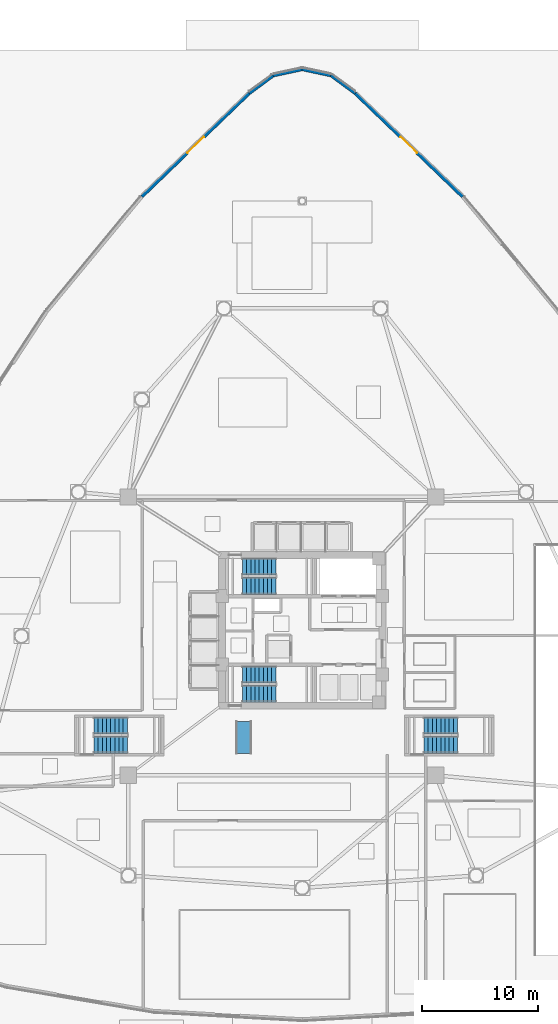
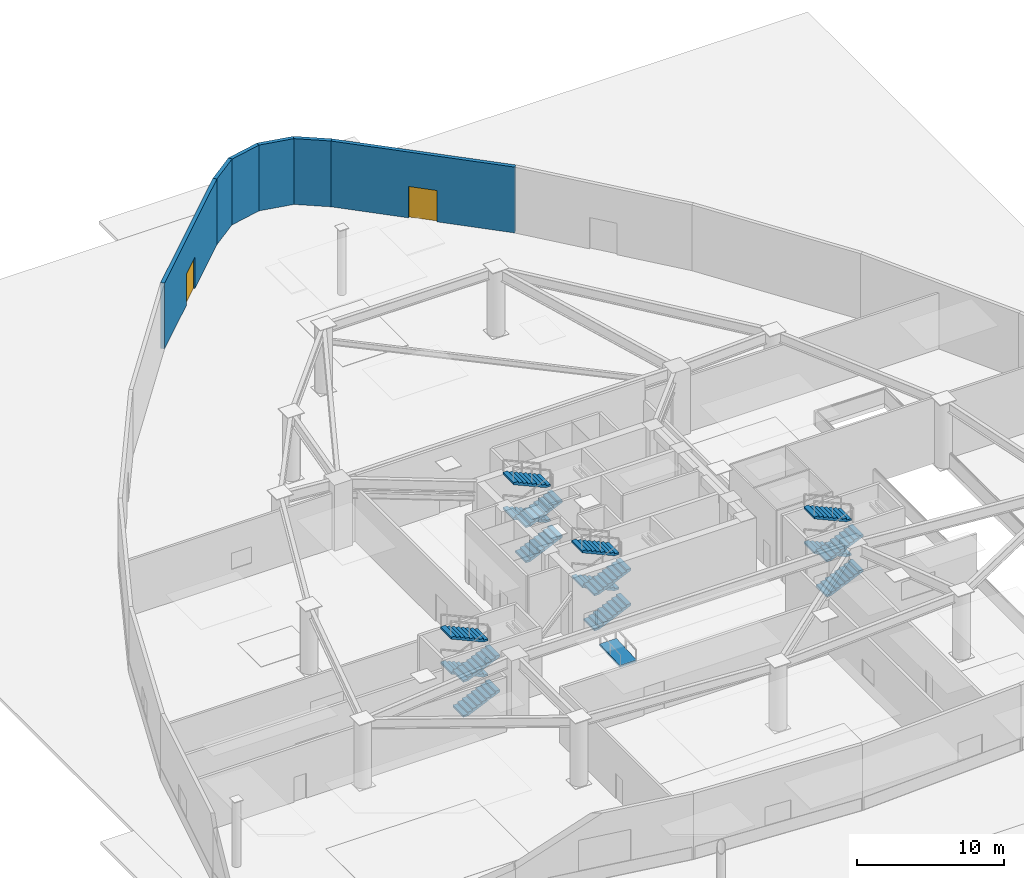
# One storey, part 8 of 13: 16 stair flights, 6 walls, 2 doors, 1 ramp flight, 2 openings, 5 elements without a shape of their own.
"""IFC4 building model written with IfcOpenShell, lengths in metres."""

from ifc_helpers import new_model, si_unit, direction, frame, frame_2d, origin, place, context, subcontext, project, spatial, polyline, rectangle, outline, extrude, material, layer, layer_set, type_object, element, fill, aggregate, save


model = new_model("IFC4")

# Units and contexts
model_context = context("Model", 3, precision=1e-05, world=origin(), true_north=direction((0.0, 1.0)))
body_context = subcontext(model_context, "Body", "Model", "MODEL_VIEW")
ifc_project = project(units=[si_unit("LENGTHUNIT", "METRE"), si_unit("AREAUNIT", "SQUARE_METRE"), si_unit("VOLUMEUNIT", "CUBIC_METRE"), si_unit("PLANEANGLEUNIT", "RADIAN"), si_unit("MASSUNIT", "GRAM", prefix="KILO")], contexts=[model_context])

# Site, building, storey
site_placement = place(None, origin())
site = spatial("IfcSite", under=ifc_project, at=site_placement, CompositionType="ELEMENT")
building_placement = place(site_placement, origin())
building = spatial("IfcBuilding", under=site, at=building_placement, Name="Tavelor Broadcast Tower", CompositionType="ELEMENT")
storey_placement = place(building_placement, origin())
storey = spatial("IfcBuildingStorey", under=building, at=storey_placement, Name="L00", CompositionType="ELEMENT", Elevation=0.0)

# Walls
ifc_material_1 = material(Name="Precast Concrete C40/50", Category="concrete")
ifc_layer_1 = layer(ifc_material_1, 0.280029296875)
ifc_layer_set_1 = layer_set([ifc_layer_1], Name="Precast Concrete C40/50")
wall_type = type_object("IfcWallType", Name="Insulated Precast Terracotta Facade Wall 280 mm", PredefinedType="STANDARD", material=ifc_layer_set_1)
wall_1_placement = place(storey_placement, frame((54.572265625, 91.283935546875, 0.0), z_axis=(0.0, 0.0, 1.0), x_axis=(-0.804349747679, 0.594156110301, 0.0)))
element("IfcWall", 1, at=wall_1_placement, inside=storey, type_object=wall_type, Name="L00 Precast Terracotta Facade Wall 01", PredefinedType="STANDARD", context=body_context, shape_type="SweptSolid", body=[
    extrude(rectangle(XDim=2.6005859375, YDim=0.280029296875, at=frame_2d((1.30029296875, 0.0))), origin(), (0.0, 0.0, 1.0), 5.449951171875),
])
for number, where, z_axis, x_axis, name in (
    (2, (52.507080078125, 92.81689453125, 0.0), (0.0, 0.0, 1.0), (-0.977595565968, 0.210492064935, 0.0), "L00 Precast Terracotta Facade Wall 02"),
    (3, (50.0146484375, 93.35986328125, 0.0), (0.0, 0.0, 1.0), (-0.977595565968, -0.210492064935, 0.0), "L00 Precast Terracotta Facade Wall 03"),
):
    element("IfcWall", number, at=place(storey_placement, frame(where, z_axis=z_axis, x_axis=x_axis)), inside=storey, type_object=wall_type, Name=name, PredefinedType="STANDARD", context=body_context, shape_type="SweptSolid", body=[
        extrude(rectangle(XDim=2.57958984375, YDim=0.280029296875, at=frame_2d((1.289794921875, 0.0))), origin(), (0.0, 0.0, 1.0), 5.449951171875),
    ])
wall_2_placement = place(storey_placement, frame((47.51953125, 92.8291015625, 0.0), z_axis=(0.0, 0.0, 1.0), x_axis=(-0.804349747679, -0.594156110301, 0.0)))
element("IfcWall", 4, at=wall_2_placement, inside=storey, type_object=wall_type, Name="L00 Precast Terracotta Facade Wall 04", PredefinedType="STANDARD", context=body_context, shape_type="SweptSolid", body=[
    extrude(rectangle(XDim=2.6005859375, YDim=0.280029296875, at=frame_2d((1.30029296875, 0.0))), origin(), (0.0, 0.0, 1.0), 5.449951171875),
])

# Wall, opening, door
wall_3_placement = place(storey_placement, frame((45.45068359375, 91.30322265625, 0.0), z_axis=(0.0, 0.0, 1.0), x_axis=(-0.720310031193, -0.693652260836, 0.0)))
wall_3 = element("IfcWall", 5, at=wall_3_placement, inside=storey, type_object=wall_type, Name="L00 Precast Terracotta Facade Wall 05", PredefinedType="STANDARD", context=body_context, shape_type="SweptSolid", body=[
    extrude(rectangle(XDim=12.867431640625, YDim=0.280029296875, at=frame_2d((6.43359375, 0.0))), origin(), (0.0, 0.0, 1.0), 5.449951171875),
])
opening_1_placement = place(wall_3_placement, frame((5.43359375, 0.0, 0.0)))
opening_1 = element("IfcOpeningElement", 6, at=opening_1_placement, cuts=wall_3, Name="Opening DR47", PredefinedType="OPENING", context=body_context, shape_type="SweptSolid", body=[
    extrude(rectangle(XDim=2.0, YDim=2.60009765625, at=frame_2d((1.0, 1.300048828125))), frame((0.0, 0.14990234375, 0.0), z_axis=(0.0, -1.0, 0.0), x_axis=(1.0, 0.0, 0.0)), (0.0, 0.0, 1.0), 0.300048828125),
])
ifc_material_2 = material(Name="Architectural Anodized Aluminium", Category="aluminium")
door_type = type_object("IfcDoorType", Name="Main Plaza Entrance Double Exit Door 2000x2600", OperationType="NOTDEFINED", PredefinedType="DOOR", material=ifc_material_2)
door_1_placement = place(opening_1_placement, frame((2.0, 0.0, 0.0), z_axis=(0.0, 0.0, 1.0), x_axis=(-1.0, 0.0, 0.0)))
door_1 = element("IfcDoor", 7, at=door_1_placement, inside=storey, type_object=door_type, Name="L00 Main Plaza Final Exit Double Door 05", OperationType="DOUBLE_DOOR_SINGLE_SWING", OverallHeight=2.60009765625, OverallWidth=2.0, PredefinedType="DOOR", context=body_context, shape_type="SweptSolid", body=[
    extrude(rectangle(XDim=2.0, YDim=2.60009765625, at=frame_2d((1.0, 1.300048828125))), frame((0.0, 0.02490234375, 0.0), z_axis=(0.0, -1.0, 0.0), x_axis=(1.0, 0.0, 0.0)), (0.0, 0.0, 1.0), 0.050048828125),
])
fill(opening_1, door_1)

wall_4_placement = place(storey_placement, frame((63.81787109375, 82.377685546875, 0.0), z_axis=(0.0, 0.0, 1.0), x_axis=(-0.720310031193, 0.693652260836, 0.0)))
wall_4 = element("IfcWall", 8, at=wall_4_placement, inside=storey, type_object=wall_type, Name="L00 Precast Terracotta Facade Wall 30", PredefinedType="STANDARD", context=body_context, shape_type="SweptSolid", body=[
    extrude(rectangle(XDim=12.867431640625, YDim=0.280029296875, at=frame_2d((6.43359375, 0.0))), origin(), (0.0, 0.0, 1.0), 5.449951171875),
])
opening_2_placement = place(wall_4_placement, frame((5.43359375, 0.0, 0.0)))
opening_2 = element("IfcOpeningElement", 9, at=opening_2_placement, cuts=wall_4, Name="Opening DR47", PredefinedType="OPENING", context=body_context, shape_type="SweptSolid", body=[
    extrude(rectangle(XDim=2.0, YDim=2.60009765625, at=frame_2d((1.0, 1.300048828125))), frame((0.0, 0.14990234375, 0.0), z_axis=(0.0, -1.0, 0.0), x_axis=(1.0, 0.0, 0.0)), (0.0, 0.0, 1.0), 0.300048828125),
])
door_2_placement = place(opening_2_placement, frame((2.0, 0.0, 0.0), z_axis=(0.0, 0.0, 1.0), x_axis=(-1.0, 0.0, 0.0)))
door_2 = element("IfcDoor", 10, at=door_2_placement, inside=storey, type_object=door_type, Name="L00 Main Plaza Final Exit Double Door 30", OperationType="DOUBLE_DOOR_SINGLE_SWING", OverallHeight=2.60009765625, OverallWidth=2.0, PredefinedType="DOOR", context=body_context, shape_type="SweptSolid", body=[
    extrude(rectangle(XDim=2.0, YDim=2.60009765625, at=frame_2d((1.0, 1.300048828125))), frame((0.0, 0.02490234375, 0.0), z_axis=(0.0, -1.0, 0.0), x_axis=(1.0, 0.0, 0.0)), (0.0, 0.0, 1.0), 0.050048828125),
])
fill(opening_2, door_2)

# Stair, stair flights
ifc_material_3 = material(Name="Concrete C40/50", Category="concrete")
stair_type = type_object("IfcStairType", Name="Reinforced Concrete Protected Dogleg Stair 1450 mm", PredefinedType="HALF_TURN_STAIR", material=ifc_material_3)
stair_1_placement = place(storey_placement, origin())
stair_1 = element("IfcStair", 11, at=stair_1_placement, inside=storey, type_object=stair_type, Name="L00 Protected Core Exit Stair ST1", PredefinedType="HALF_TURN_STAIR")
stair_flight_type = type_object("IfcStairFlightType", Name="Reinforced Concrete Stair Flight 1450 mm", PredefinedType="STRAIGHT", material=ifc_material_3)
stair_flight_1_placement = place(storey_placement, frame((44.85009765625, 48.824951171875, 0.0), z_axis=(0.0, 0.0, 1.0), x_axis=(1.0, 0.0, 0.0)))
stair_flight_1 = element("IfcStairFlight", 12, at=stair_flight_1_placement, type_object=stair_flight_type, Name="ST1 flight 1", NumberOfRisers=9, NumberOfTreads=8, PredefinedType="STRAIGHT", RiserHeight=0.161111111, TreadLength=0.36, context=body_context, shape_type="SweptSolid", body=[
    extrude(outline(polyline([(0.0, 0.0), (0.0, 0.1611328125), (0.360107421875, 0.1611328125), (0.360107421875, 0.322265625), (0.719970703125, 0.322265625), (0.719970703125, 0.4833984375), (1.080078125, 0.4833984375), (1.080078125, 0.64453125), (1.43994140625, 0.64453125), (1.43994140625, 0.8056640625), (1.800048828125, 0.8056640625), (1.800048828125, 0.966552734375), (2.159912109375, 0.966552734375), (2.159912109375, 1.127685546875), (2.52001953125, 1.127685546875), (2.52001953125, 1.288818359375), (2.8798828125, 1.288818359375), (2.8798828125, 1.449951171875), (2.8798828125, 1.124755859375), (0.366943359375, 0.0), (0.0, 0.0)])), frame((0.0, 0.72509765625, 0.0), z_axis=(0.0, -1.0, 0.0), x_axis=(1.0, 0.0, 0.0)), (0.0, 0.0, 1.0), 1.449951171875),
])
stair_flight_2_placement = place(storey_placement, frame((47.72998046875, 50.47509765625, 1.449951171875), z_axis=(0.0, 0.0, 1.0), x_axis=(-1.0, 0.0, 0.0)))
stair_flight_2 = element("IfcStairFlight", 13, at=stair_flight_2_placement, type_object=stair_flight_type, Name="ST1 flight 2", NumberOfRisers=9, NumberOfTreads=8, PredefinedType="STRAIGHT", RiserHeight=0.161111111, TreadLength=0.36, context=body_context, shape_type="SweptSolid", body=[
    extrude(outline(polyline([(0.0, 0.0), (0.0, 0.1611328125), (0.360107421875, 0.1611328125), (0.360107421875, 0.322265625), (0.719970703125, 0.322265625), (0.719970703125, 0.4833984375), (1.080078125, 0.4833984375), (1.080078125, 0.64453125), (1.43994140625, 0.64453125), (1.43994140625, 0.8056640625), (1.800048828125, 0.8056640625), (1.800048828125, 0.966552734375), (2.159912109375, 0.966552734375), (2.159912109375, 1.127685546875), (2.52001953125, 1.127685546875), (2.52001953125, 1.288818359375), (2.8798828125, 1.288818359375), (2.8798828125, 1.449951171875), (2.8798828125, 1.124755859375), (0.366943359375, 0.0), (0.0, 0.0)])), frame((0.0, 0.72509765625, 0.0), z_axis=(0.0, -1.0, 0.0), x_axis=(1.0, 0.0, 0.0)), (0.0, 0.0, 1.0), 1.449951171875),
])
stair_flight_3_placement = place(storey_placement, frame((44.85009765625, 48.824951171875, 2.89990234375), z_axis=(0.0, 0.0, 1.0), x_axis=(1.0, 0.0, 0.0)))
stair_flight_3 = element("IfcStairFlight", 14, at=stair_flight_3_placement, type_object=stair_flight_type, Name="ST1 flight 3", NumberOfRisers=9, NumberOfTreads=8, PredefinedType="STRAIGHT", RiserHeight=0.161111111, TreadLength=0.36, context=body_context, shape_type="SweptSolid", body=[
    extrude(outline(polyline([(0.0, 0.0), (0.0, 0.1611328125), (0.360107421875, 0.1611328125), (0.360107421875, 0.322265625), (0.719970703125, 0.322265625), (0.719970703125, 0.4833984375), (1.080078125, 0.4833984375), (1.080078125, 0.64453125), (1.43994140625, 0.64453125), (1.43994140625, 0.8056640625), (1.800048828125, 0.8056640625), (1.800048828125, 0.966552734375), (2.159912109375, 0.966552734375), (2.159912109375, 1.127685546875), (2.52001953125, 1.127685546875), (2.52001953125, 1.288818359375), (2.8798828125, 1.288818359375), (2.8798828125, 1.449951171875), (2.8798828125, 1.124755859375), (0.366943359375, 0.0), (0.0, 0.0)])), frame((0.0, 0.72509765625, 0.0), z_axis=(0.0, -1.0, 0.0), x_axis=(1.0, 0.0, 0.0)), (0.0, 0.0, 1.0), 1.449951171875),
])
stair_flight_4_placement = place(storey_placement, frame((47.72998046875, 50.47509765625, 4.35009765625), z_axis=(0.0, 0.0, 1.0), x_axis=(-1.0, 0.0, 0.0)))
stair_flight_4 = element("IfcStairFlight", 15, at=stair_flight_4_placement, type_object=stair_flight_type, Name="ST1 flight 4", NumberOfRisers=9, NumberOfTreads=8, PredefinedType="STRAIGHT", RiserHeight=0.161111111, TreadLength=0.36, context=body_context, shape_type="SweptSolid", body=[
    extrude(outline(polyline([(0.0, 0.0), (0.0, 0.1611328125), (0.360107421875, 0.1611328125), (0.360107421875, 0.322265625), (0.719970703125, 0.322265625), (0.719970703125, 0.4833984375), (1.080078125, 0.4833984375), (1.080078125, 0.64453125), (1.43994140625, 0.64453125), (1.43994140625, 0.8056640625), (1.800048828125, 0.8056640625), (1.800048828125, 0.966552734375), (2.159912109375, 0.966552734375), (2.159912109375, 1.127685546875), (2.52001953125, 1.127685546875), (2.52001953125, 1.288818359375), (2.8798828125, 1.288818359375), (2.8798828125, 1.449951171875), (2.8798828125, 1.124755859375), (0.366943359375, 0.0), (0.0, 0.0)])), frame((0.0, 0.72509765625, 0.0), z_axis=(0.0, -1.0, 0.0), x_axis=(1.0, 0.0, 0.0)), (0.0, 0.0, 1.0), 1.449951171875),
])
aggregate(stair_1, [stair_flight_1, stair_flight_2, stair_flight_3, stair_flight_4])

stair_2_placement = place(storey_placement, origin())
stair_2 = element("IfcStair", 16, at=stair_2_placement, inside=storey, type_object=stair_type, Name="L00 Protected Core Exit Stair ST2", PredefinedType="HALF_TURN_STAIR")
stair_flight_5_placement = place(storey_placement, frame((44.85009765625, 39.52490234375, 0.0), z_axis=(0.0, 0.0, 1.0), x_axis=(1.0, 0.0, 0.0)))
stair_flight_5 = element("IfcStairFlight", 17, at=stair_flight_5_placement, type_object=stair_flight_type, Name="ST2 flight 1", NumberOfRisers=9, NumberOfTreads=8, PredefinedType="STRAIGHT", RiserHeight=0.161111111, TreadLength=0.36, context=body_context, shape_type="SweptSolid", body=[
    extrude(outline(polyline([(0.0, 0.0), (0.0, 0.1611328125), (0.360107421875, 0.1611328125), (0.360107421875, 0.322265625), (0.719970703125, 0.322265625), (0.719970703125, 0.4833984375), (1.080078125, 0.4833984375), (1.080078125, 0.64453125), (1.43994140625, 0.64453125), (1.43994140625, 0.8056640625), (1.800048828125, 0.8056640625), (1.800048828125, 0.966552734375), (2.159912109375, 0.966552734375), (2.159912109375, 1.127685546875), (2.52001953125, 1.127685546875), (2.52001953125, 1.288818359375), (2.8798828125, 1.288818359375), (2.8798828125, 1.449951171875), (2.8798828125, 1.124755859375), (0.366943359375, 0.0), (0.0, 0.0)])), frame((0.0, 0.72509765625, 0.0), z_axis=(0.0, -1.0, 0.0), x_axis=(1.0, 0.0, 0.0)), (0.0, 0.0, 1.0), 1.449951171875),
])
stair_flight_6_placement = place(storey_placement, frame((47.72998046875, 41.175048828125, 1.449951171875), z_axis=(0.0, 0.0, 1.0), x_axis=(-1.0, 0.0, 0.0)))
stair_flight_6 = element("IfcStairFlight", 18, at=stair_flight_6_placement, type_object=stair_flight_type, Name="ST2 flight 2", NumberOfRisers=9, NumberOfTreads=8, PredefinedType="STRAIGHT", RiserHeight=0.161111111, TreadLength=0.36, context=body_context, shape_type="SweptSolid", body=[
    extrude(outline(polyline([(0.0, 0.0), (0.0, 0.1611328125), (0.360107421875, 0.1611328125), (0.360107421875, 0.322265625), (0.719970703125, 0.322265625), (0.719970703125, 0.4833984375), (1.080078125, 0.4833984375), (1.080078125, 0.64453125), (1.43994140625, 0.64453125), (1.43994140625, 0.8056640625), (1.800048828125, 0.8056640625), (1.800048828125, 0.966552734375), (2.159912109375, 0.966552734375), (2.159912109375, 1.127685546875), (2.52001953125, 1.127685546875), (2.52001953125, 1.288818359375), (2.8798828125, 1.288818359375), (2.8798828125, 1.449951171875), (2.8798828125, 1.124755859375), (0.366943359375, 0.0), (0.0, 0.0)])), frame((0.0, 0.72509765625, 0.0), z_axis=(0.0, -1.0, 0.0), x_axis=(1.0, 0.0, 0.0)), (0.0, 0.0, 1.0), 1.449951171875),
])
stair_flight_7_placement = place(storey_placement, frame((44.85009765625, 39.52490234375, 2.89990234375), z_axis=(0.0, 0.0, 1.0), x_axis=(1.0, 0.0, 0.0)))
stair_flight_7 = element("IfcStairFlight", 19, at=stair_flight_7_placement, type_object=stair_flight_type, Name="ST2 flight 3", NumberOfRisers=9, NumberOfTreads=8, PredefinedType="STRAIGHT", RiserHeight=0.161111111, TreadLength=0.36, context=body_context, shape_type="SweptSolid", body=[
    extrude(outline(polyline([(0.0, 0.0), (0.0, 0.1611328125), (0.360107421875, 0.1611328125), (0.360107421875, 0.322265625), (0.719970703125, 0.322265625), (0.719970703125, 0.4833984375), (1.080078125, 0.4833984375), (1.080078125, 0.64453125), (1.43994140625, 0.64453125), (1.43994140625, 0.8056640625), (1.800048828125, 0.8056640625), (1.800048828125, 0.966552734375), (2.159912109375, 0.966552734375), (2.159912109375, 1.127685546875), (2.52001953125, 1.127685546875), (2.52001953125, 1.288818359375), (2.8798828125, 1.288818359375), (2.8798828125, 1.449951171875), (2.8798828125, 1.124755859375), (0.366943359375, 0.0), (0.0, 0.0)])), frame((0.0, 0.72509765625, 0.0), z_axis=(0.0, -1.0, 0.0), x_axis=(1.0, 0.0, 0.0)), (0.0, 0.0, 1.0), 1.449951171875),
])
stair_flight_8_placement = place(storey_placement, frame((47.72998046875, 41.175048828125, 4.35009765625), z_axis=(0.0, 0.0, 1.0), x_axis=(-1.0, 0.0, 0.0)))
stair_flight_8 = element("IfcStairFlight", 20, at=stair_flight_8_placement, type_object=stair_flight_type, Name="ST2 flight 4", NumberOfRisers=9, NumberOfTreads=8, PredefinedType="STRAIGHT", RiserHeight=0.161111111, TreadLength=0.36, context=body_context, shape_type="SweptSolid", body=[
    extrude(outline(polyline([(0.0, 0.0), (0.0, 0.1611328125), (0.360107421875, 0.1611328125), (0.360107421875, 0.322265625), (0.719970703125, 0.322265625), (0.719970703125, 0.4833984375), (1.080078125, 0.4833984375), (1.080078125, 0.64453125), (1.43994140625, 0.64453125), (1.43994140625, 0.8056640625), (1.800048828125, 0.8056640625), (1.800048828125, 0.966552734375), (2.159912109375, 0.966552734375), (2.159912109375, 1.127685546875), (2.52001953125, 1.127685546875), (2.52001953125, 1.288818359375), (2.8798828125, 1.288818359375), (2.8798828125, 1.449951171875), (2.8798828125, 1.124755859375), (0.366943359375, 0.0), (0.0, 0.0)])), frame((0.0, 0.72509765625, 0.0), z_axis=(0.0, -1.0, 0.0), x_axis=(1.0, 0.0, 0.0)), (0.0, 0.0, 1.0), 1.449951171875),
])
aggregate(stair_2, [stair_flight_5, stair_flight_6, stair_flight_7, stair_flight_8])

stair_3_placement = place(storey_placement, origin())
stair_3 = element("IfcStair", 21, at=stair_3_placement, inside=storey, type_object=stair_type, Name="L00 Podium West Exit Stair ST3", PredefinedType="HALF_TURN_STAIR")
stair_flight_9_placement = place(storey_placement, frame((32.050048828125, 35.125, 0.0), z_axis=(0.0, 0.0, 1.0), x_axis=(1.0, 0.0, 0.0)))
stair_flight_9 = element("IfcStairFlight", 22, at=stair_flight_9_placement, type_object=stair_flight_type, Name="ST3 flight 1", NumberOfRisers=9, NumberOfTreads=8, PredefinedType="STRAIGHT", RiserHeight=0.161111111, TreadLength=0.36, context=body_context, shape_type="SweptSolid", body=[
    extrude(outline(polyline([(0.0, 0.0), (0.0, 0.1611328125), (0.360107421875, 0.1611328125), (0.360107421875, 0.322265625), (0.719970703125, 0.322265625), (0.719970703125, 0.4833984375), (1.080078125, 0.4833984375), (1.080078125, 0.64453125), (1.43994140625, 0.64453125), (1.43994140625, 0.8056640625), (1.800048828125, 0.8056640625), (1.800048828125, 0.966552734375), (2.159912109375, 0.966552734375), (2.159912109375, 1.127685546875), (2.52001953125, 1.127685546875), (2.52001953125, 1.288818359375), (2.8798828125, 1.288818359375), (2.8798828125, 1.449951171875), (2.8798828125, 1.124755859375), (0.366943359375, 0.0), (0.0, 0.0)])), frame((0.0, 0.72509765625, 0.0), z_axis=(0.0, -1.0, 0.0), x_axis=(1.0, 0.0, 0.0)), (0.0, 0.0, 1.0), 1.449951171875),
])
stair_flight_10_placement = place(storey_placement, frame((34.929931640625, 36.77490234375, 1.449951171875), z_axis=(0.0, 0.0, 1.0), x_axis=(-1.0, 0.0, 0.0)))
stair_flight_10 = element("IfcStairFlight", 23, at=stair_flight_10_placement, type_object=stair_flight_type, Name="ST3 flight 2", NumberOfRisers=9, NumberOfTreads=8, PredefinedType="STRAIGHT", RiserHeight=0.161111111, TreadLength=0.36, context=body_context, shape_type="SweptSolid", body=[
    extrude(outline(polyline([(0.0, 0.0), (0.0, 0.1611328125), (0.360107421875, 0.1611328125), (0.360107421875, 0.322265625), (0.719970703125, 0.322265625), (0.719970703125, 0.4833984375), (1.080078125, 0.4833984375), (1.080078125, 0.64453125), (1.43994140625, 0.64453125), (1.43994140625, 0.8056640625), (1.800048828125, 0.8056640625), (1.800048828125, 0.966552734375), (2.159912109375, 0.966552734375), (2.159912109375, 1.127685546875), (2.52001953125, 1.127685546875), (2.52001953125, 1.288818359375), (2.8798828125, 1.288818359375), (2.8798828125, 1.449951171875), (2.8798828125, 1.124755859375), (0.366943359375, 0.0), (0.0, 0.0)])), frame((0.0, 0.72509765625, 0.0), z_axis=(0.0, -1.0, 0.0), x_axis=(1.0, 0.0, 0.0)), (0.0, 0.0, 1.0), 1.449951171875),
])
stair_flight_11_placement = place(storey_placement, frame((32.050048828125, 35.125, 2.89990234375), z_axis=(0.0, 0.0, 1.0), x_axis=(1.0, 0.0, 0.0)))
stair_flight_11 = element("IfcStairFlight", 24, at=stair_flight_11_placement, type_object=stair_flight_type, Name="ST3 flight 3", NumberOfRisers=9, NumberOfTreads=8, PredefinedType="STRAIGHT", RiserHeight=0.161111111, TreadLength=0.36, context=body_context, shape_type="SweptSolid", body=[
    extrude(outline(polyline([(0.0, 0.0), (0.0, 0.1611328125), (0.360107421875, 0.1611328125), (0.360107421875, 0.322265625), (0.719970703125, 0.322265625), (0.719970703125, 0.4833984375), (1.080078125, 0.4833984375), (1.080078125, 0.64453125), (1.43994140625, 0.64453125), (1.43994140625, 0.8056640625), (1.800048828125, 0.8056640625), (1.800048828125, 0.966552734375), (2.159912109375, 0.966552734375), (2.159912109375, 1.127685546875), (2.52001953125, 1.127685546875), (2.52001953125, 1.288818359375), (2.8798828125, 1.288818359375), (2.8798828125, 1.449951171875), (2.8798828125, 1.124755859375), (0.366943359375, 0.0), (0.0, 0.0)])), frame((0.0, 0.72509765625, 0.0), z_axis=(0.0, -1.0, 0.0), x_axis=(1.0, 0.0, 0.0)), (0.0, 0.0, 1.0), 1.449951171875),
])
stair_flight_12_placement = place(storey_placement, frame((34.929931640625, 36.77490234375, 4.35009765625), z_axis=(0.0, 0.0, 1.0), x_axis=(-1.0, 0.0, 0.0)))
stair_flight_12 = element("IfcStairFlight", 25, at=stair_flight_12_placement, type_object=stair_flight_type, Name="ST3 flight 4", NumberOfRisers=9, NumberOfTreads=8, PredefinedType="STRAIGHT", RiserHeight=0.161111111, TreadLength=0.36, context=body_context, shape_type="SweptSolid", body=[
    extrude(outline(polyline([(0.0, 0.0), (0.0, 0.1611328125), (0.360107421875, 0.1611328125), (0.360107421875, 0.322265625), (0.719970703125, 0.322265625), (0.719970703125, 0.4833984375), (1.080078125, 0.4833984375), (1.080078125, 0.64453125), (1.43994140625, 0.64453125), (1.43994140625, 0.8056640625), (1.800048828125, 0.8056640625), (1.800048828125, 0.966552734375), (2.159912109375, 0.966552734375), (2.159912109375, 1.127685546875), (2.52001953125, 1.127685546875), (2.52001953125, 1.288818359375), (2.8798828125, 1.288818359375), (2.8798828125, 1.449951171875), (2.8798828125, 1.124755859375), (0.366943359375, 0.0), (0.0, 0.0)])), frame((0.0, 0.72509765625, 0.0), z_axis=(0.0, -1.0, 0.0), x_axis=(1.0, 0.0, 0.0)), (0.0, 0.0, 1.0), 1.449951171875),
])
aggregate(stair_3, [stair_flight_9, stair_flight_10, stair_flight_11, stair_flight_12])

stair_4_placement = place(storey_placement, origin())
stair_4 = element("IfcStair", 26, at=stair_4_placement, inside=storey, type_object=stair_type, Name="L00 Podium East Exit Stair ST4", PredefinedType="HALF_TURN_STAIR")
stair_flight_13_placement = place(storey_placement, frame((60.5, 35.125, 0.0), z_axis=(0.0, 0.0, 1.0), x_axis=(1.0, 0.0, 0.0)))
stair_flight_13 = element("IfcStairFlight", 27, at=stair_flight_13_placement, type_object=stair_flight_type, Name="ST4 flight 1", NumberOfRisers=9, NumberOfTreads=8, PredefinedType="STRAIGHT", RiserHeight=0.161111111, TreadLength=0.36, context=body_context, shape_type="SweptSolid", body=[
    extrude(outline(polyline([(0.0, 0.0), (0.0, 0.1611328125), (0.360107421875, 0.1611328125), (0.360107421875, 0.322265625), (0.719970703125, 0.322265625), (0.719970703125, 0.4833984375), (1.080078125, 0.4833984375), (1.080078125, 0.64453125), (1.43994140625, 0.64453125), (1.43994140625, 0.8056640625), (1.800048828125, 0.8056640625), (1.800048828125, 0.966552734375), (2.159912109375, 0.966552734375), (2.159912109375, 1.127685546875), (2.52001953125, 1.127685546875), (2.52001953125, 1.288818359375), (2.8798828125, 1.288818359375), (2.8798828125, 1.449951171875), (2.8798828125, 1.124755859375), (0.366943359375, 0.0), (0.0, 0.0)])), frame((0.0, 0.72509765625, 0.0), z_axis=(0.0, -1.0, 0.0), x_axis=(1.0, 0.0, 0.0)), (0.0, 0.0, 1.0), 1.449951171875),
])
stair_flight_14_placement = place(storey_placement, frame((63.3798828125, 36.77490234375, 1.449951171875), z_axis=(0.0, 0.0, 1.0), x_axis=(-1.0, 0.0, 0.0)))
stair_flight_14 = element("IfcStairFlight", 28, at=stair_flight_14_placement, type_object=stair_flight_type, Name="ST4 flight 2", NumberOfRisers=9, NumberOfTreads=8, PredefinedType="STRAIGHT", RiserHeight=0.161111111, TreadLength=0.36, context=body_context, shape_type="SweptSolid", body=[
    extrude(outline(polyline([(0.0, 0.0), (0.0, 0.1611328125), (0.360107421875, 0.1611328125), (0.360107421875, 0.322265625), (0.719970703125, 0.322265625), (0.719970703125, 0.4833984375), (1.080078125, 0.4833984375), (1.080078125, 0.64453125), (1.43994140625, 0.64453125), (1.43994140625, 0.8056640625), (1.800048828125, 0.8056640625), (1.800048828125, 0.966552734375), (2.159912109375, 0.966552734375), (2.159912109375, 1.127685546875), (2.52001953125, 1.127685546875), (2.52001953125, 1.288818359375), (2.8798828125, 1.288818359375), (2.8798828125, 1.449951171875), (2.8798828125, 1.124755859375), (0.366943359375, 0.0), (0.0, 0.0)])), frame((0.0, 0.72509765625, 0.0), z_axis=(0.0, -1.0, 0.0), x_axis=(1.0, 0.0, 0.0)), (0.0, 0.0, 1.0), 1.449951171875),
])
stair_flight_15_placement = place(storey_placement, frame((60.5, 35.125, 2.89990234375), z_axis=(0.0, 0.0, 1.0), x_axis=(1.0, 0.0, 0.0)))
stair_flight_15 = element("IfcStairFlight", 29, at=stair_flight_15_placement, type_object=stair_flight_type, Name="ST4 flight 3", NumberOfRisers=9, NumberOfTreads=8, PredefinedType="STRAIGHT", RiserHeight=0.161111111, TreadLength=0.36, context=body_context, shape_type="SweptSolid", body=[
    extrude(outline(polyline([(0.0, 0.0), (0.0, 0.1611328125), (0.360107421875, 0.1611328125), (0.360107421875, 0.322265625), (0.719970703125, 0.322265625), (0.719970703125, 0.4833984375), (1.080078125, 0.4833984375), (1.080078125, 0.64453125), (1.43994140625, 0.64453125), (1.43994140625, 0.8056640625), (1.800048828125, 0.8056640625), (1.800048828125, 0.966552734375), (2.159912109375, 0.966552734375), (2.159912109375, 1.127685546875), (2.52001953125, 1.127685546875), (2.52001953125, 1.288818359375), (2.8798828125, 1.288818359375), (2.8798828125, 1.449951171875), (2.8798828125, 1.124755859375), (0.366943359375, 0.0), (0.0, 0.0)])), frame((0.0, 0.72509765625, 0.0), z_axis=(0.0, -1.0, 0.0), x_axis=(1.0, 0.0, 0.0)), (0.0, 0.0, 1.0), 1.449951171875),
])
stair_flight_16_placement = place(storey_placement, frame((63.3798828125, 36.77490234375, 4.35009765625), z_axis=(0.0, 0.0, 1.0), x_axis=(-1.0, 0.0, 0.0)))
stair_flight_16 = element("IfcStairFlight", 30, at=stair_flight_16_placement, type_object=stair_flight_type, Name="ST4 flight 4", NumberOfRisers=9, NumberOfTreads=8, PredefinedType="STRAIGHT", RiserHeight=0.161111111, TreadLength=0.36, context=body_context, shape_type="SweptSolid", body=[
    extrude(outline(polyline([(0.0, 0.0), (0.0, 0.1611328125), (0.360107421875, 0.1611328125), (0.360107421875, 0.322265625), (0.719970703125, 0.322265625), (0.719970703125, 0.4833984375), (1.080078125, 0.4833984375), (1.080078125, 0.64453125), (1.43994140625, 0.64453125), (1.43994140625, 0.8056640625), (1.800048828125, 0.8056640625), (1.800048828125, 0.966552734375), (2.159912109375, 0.966552734375), (2.159912109375, 1.127685546875), (2.52001953125, 1.127685546875), (2.52001953125, 1.288818359375), (2.8798828125, 1.288818359375), (2.8798828125, 1.449951171875), (2.8798828125, 1.124755859375), (0.366943359375, 0.0), (0.0, 0.0)])), frame((0.0, 0.72509765625, 0.0), z_axis=(0.0, -1.0, 0.0), x_axis=(1.0, 0.0, 0.0)), (0.0, 0.0, 1.0), 1.449951171875),
])
aggregate(stair_4, [stair_flight_13, stair_flight_14, stair_flight_15, stair_flight_16])

# Ramp, ramp flight
ramp_type = type_object("IfcRampType", Name="Accessible Step-Free Studio Threshold Ramp 1600 mm", PredefinedType="STRAIGHT_RUN_RAMP", material=ifc_material_3)
ramp_placement = place(storey_placement, origin())
ramp = element("IfcRamp", 31, at=ramp_placement, inside=storey, type_object=ramp_type, Name="L00 Accessible Pedestrian Concourse Ramp AR01", PredefinedType="STRAIGHT_RUN_RAMP")
ifc_layer_2 = layer(ifc_material_3, 0.179931640625)
ifc_layer_set_2 = layer_set([ifc_layer_2], Name="Concrete C40/50")
ramp_flight_type = type_object("IfcRampFlightType", Name="Accessible Studio Threshold Ramp Flight 180 mm", PredefinedType="STRAIGHT", material=ifc_layer_set_2)
ramp_flight_placement = place(storey_placement, frame((44.300048828125, 34.39990234375, 0.0), z_axis=(0.0, 0.0, 1.0), x_axis=(0.0, 1.0, 0.0)))
ramp_flight = element("IfcRampFlight", 32, at=ramp_flight_placement, type_object=ramp_flight_type, Name="L00 Accessible Pedestrian Ramp Flight AR01-F1", PredefinedType="STRAIGHT", context=body_context, shape_type="SweptSolid", body=[
    extrude(outline(polyline([(0.0, -0.179931640625), (2.75, -0.0400390625), (2.75, 0.139892578125), (0.0, 0.0), (0.0, -0.179931640625)])), frame((0.0, 0.0, 0.0), z_axis=(0.0, -1.0, 0.0), x_axis=(1.0, 0.0, 0.0)), (0.0, 0.0, 1.0), 1.320068359375),
])
aggregate(ramp, [ramp_flight])

save(model, "model.ifc")
